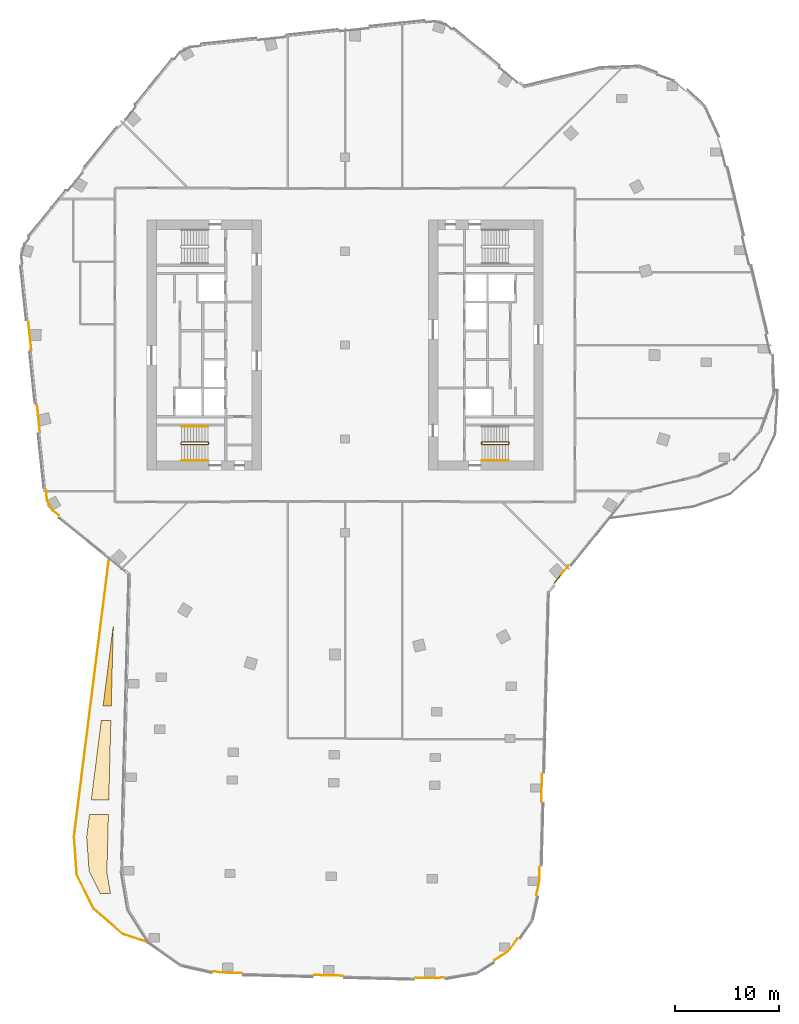
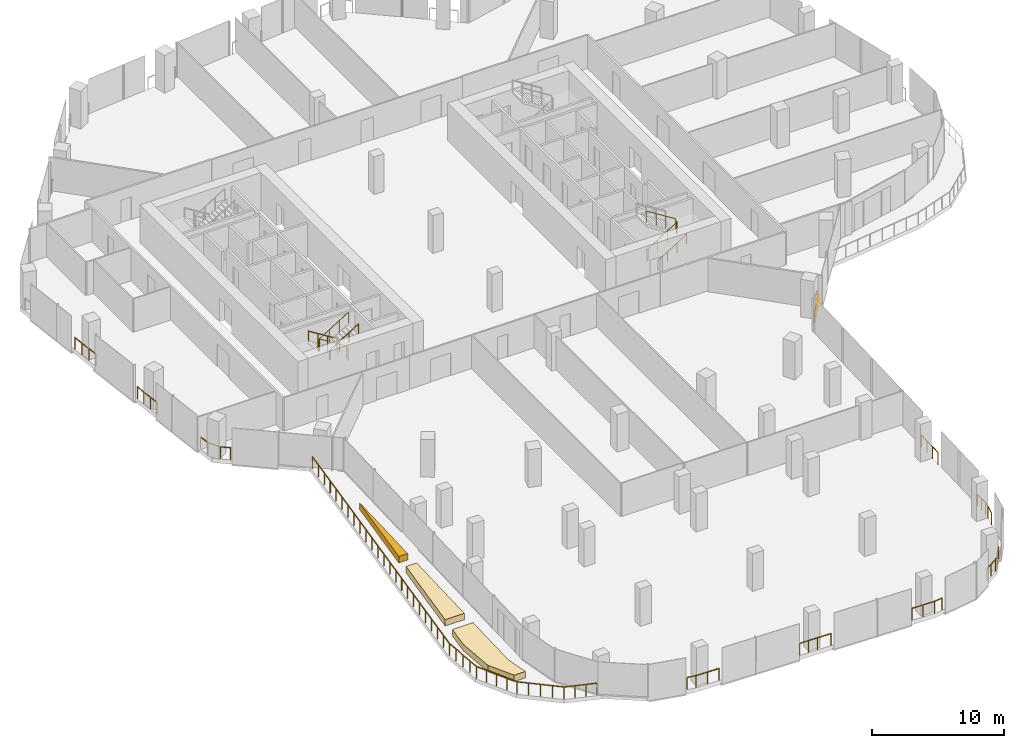
# One storey, part 21 of 24: 18 railings, 3 coverings.
"""IFC4 building model written with IfcOpenShell, lengths in metres."""

import ifcopenshell
import ifcopenshell.guid

model = None  # the IFC model being written
_history = None  # IfcOwnerHistory: only IFC2X3 demands one
_inside = {}  # id of a spatial element -> (the spatial element, [elements in it])
_under = {}  # id of a project, library or spatial element -> (it, [spatial elements below it])
_declared = {}  # id of a project -> (the project, [libraries it declares])
_typed = {}  # id of a type object -> (the type object, [elements of that type])
_made_of = {}  # id of a material, layer set ... -> (it, [elements and type objects made of it])


def new_model(schema):
    """Start an empty IFC model of exactly this schema.

    Asked for "IFC4X3", IfcOpenShell would pick the latest addendum, in which some entities
    have other attributes; the version numbers below select the first issue.
    IFC2X3 requires an IfcOwnerHistory on every rooted entity: one is made here for all.
    """
    global model, _history
    if schema == "IFC4X3":
        model = ifcopenshell.file(schema_version=(4, 3, 0, 0))
    else:
        model = ifcopenshell.file(schema=schema)
    _inside.clear()
    _under.clear()
    _declared.clear()
    _typed.clear()
    _made_of.clear()
    _history = None
    if model.schema == "IFC2X3":
        org = make("IfcOrganization", Name="unknown")
        user = make(
            "IfcPersonAndOrganization",
            ThePerson=make("IfcPerson", FamilyName="unknown"),
            TheOrganization=org,
        )
        app = make(
            "IfcApplication",
            ApplicationDeveloper=org,
            Version="unknown",
            ApplicationFullName="unknown",
            ApplicationIdentifier="unknown",
        )
        _history = make(
            "IfcOwnerHistory",
            OwningUser=user,
            OwningApplication=app,
            ChangeAction="ADDED",
            CreationDate=0,
        )
    return model


def make(cls, **values):
    """One entity of the class cls with the attributes given. An attribute that is None is left unset."""
    return model.create_entity(
        cls, **{name: value for name, value in values.items() if value is not None}
    )


def rooted(cls, **values):
    """An entity with a GlobalId (a new one), such as an element, a storey or a relation."""
    return make(cls, GlobalId=ifcopenshell.guid.new(), OwnerHistory=_history, **values)


def si_unit(unit_type, name, prefix=None):
    """IfcSIUnit, for example si_unit("LENGTHUNIT", "METRE", prefix="MILLI")."""
    return make("IfcSIUnit", UnitType=unit_type, Prefix=prefix, Name=name)


def assignment(units):
    """IfcUnitAssignment: the units of a project."""
    return None if units is None else make("IfcUnitAssignment", Units=units)


def point(xyz):
    """IfcCartesianPoint."""
    return None if xyz is None else make("IfcCartesianPoint", Coordinates=xyz)


def direction(xyz):
    """IfcDirection."""
    return None if xyz is None else make("IfcDirection", DirectionRatios=xyz)


def frame(location, z_axis=None, x_axis=None):
    """IfcAxis2Placement3D, a coordinate frame: its origin and axes. An axis left out is left unset."""
    return make(
        "IfcAxis2Placement3D",
        Location=point(location),
        Axis=direction(z_axis),
        RefDirection=direction(x_axis),
    )


def frame_2d(location, x_axis=None):
    """IfcAxis2Placement2D, a coordinate frame in the plane: its origin and x axis."""
    return make(
        "IfcAxis2Placement2D", Location=point(location), RefDirection=direction(x_axis)
    )


def origin():
    """The frame at (0, 0, 0) with its axes left unset."""
    return frame((0.0, 0.0, 0.0))


def origin_2d():
    """The frame at (0, 0) in the plane with its x axis left unset."""
    return frame_2d((0.0, 0.0))


def place(relative_to, where):
    """IfcLocalPlacement: puts the frame where relative to a parent placement (None: the world)."""
    return make(
        "IfcLocalPlacement", PlacementRelTo=relative_to, RelativePlacement=where
    )


def context(
    kind, dimensions, precision=None, world=None, true_north=None, identifier=None
):
    """IfcGeometricRepresentationContext, for example the 3D "Model" context."""
    return make(
        "IfcGeometricRepresentationContext",
        ContextIdentifier=identifier,
        ContextType=kind,
        CoordinateSpaceDimension=dimensions,
        Precision=precision,
        WorldCoordinateSystem=world,
        TrueNorth=true_north,
    )


def subcontext(parent, identifier, kind, view, scale=None):
    """IfcGeometricRepresentationSubContext, for example "Body" below "Model"."""
    return make(
        "IfcGeometricRepresentationSubContext",
        ContextIdentifier=identifier,
        ContextType=kind,
        ParentContext=parent,
        TargetScale=scale,
        TargetView=view,
    )


def project(units=None, contexts=None):
    """IfcProject with its units and contexts."""
    return rooted(
        "IfcProject",
        Name="project",
        RepresentationContexts=contexts,
        UnitsInContext=assignment(units),
    )


def spatial(cls, under=None, at=None, **own):
    """A site, building, storey or space (cls), placed at a placement, below another one or the project."""
    s = rooted(cls, ObjectPlacement=at, **own)
    if under is not None:
        _under.setdefault(under.id(), (under, []))[1].append(s)
    return s


def polyline(points):
    """IfcPolyline through the points."""
    return make("IfcPolyline", Points=[point(p) for p in points])


def profile(cls, at=None, kind="AREA", **sizes):
    """A parametric profile (cls). Its sizes go by their IFC names, for example OverallWidth=200.0."""
    return make(cls, ProfileType=kind, Position=at, **sizes)


def circle(**sizes):
    """IfcCircleProfileDef."""
    return profile("IfcCircleProfileDef", **sizes)


def outline(outer, holes=None, kind="AREA"):
    """IfcArbitraryClosedProfileDef: a profile drawn as a closed curve; with holes, ...WithVoids."""
    if holes is None:
        return make("IfcArbitraryClosedProfileDef", ProfileType=kind, OuterCurve=outer)
    return make(
        "IfcArbitraryProfileDefWithVoids",
        ProfileType=kind,
        OuterCurve=outer,
        InnerCurves=holes,
    )


def extrude(swept, where, along, depth):
    """IfcExtrudedAreaSolid: the profile swept, set in the frame where, extruded along a direction by depth."""
    return make(
        "IfcExtrudedAreaSolid",
        SweptArea=swept,
        Position=where,
        ExtrudedDirection=direction(along),
        Depth=depth,
    )


def shape(context_of_items, identifier, shape_type, items):
    """IfcShapeRepresentation: the items that make up one representation, for example the "Body"."""
    return make(
        "IfcShapeRepresentation",
        ContextOfItems=context_of_items,
        RepresentationIdentifier=identifier,
        RepresentationType=shape_type,
        Items=items,
    )


def material(Name=None, Category=None):
    """IfcMaterial."""
    return make("IfcMaterial", Name=Name, Category=Category)


def layer(
    of_material, thickness, ventilated=None, Name=None, Category=None, Priority=None
):
    """IfcMaterialLayer: one layer of a wall or slab, of a material (None: an air gap)."""
    return make(
        "IfcMaterialLayer",
        Material=of_material,
        LayerThickness=thickness,
        IsVentilated=ventilated,
        Name=Name,
        Category=Category,
        Priority=Priority,
    )


def layer_set(layers, Name=None):
    """IfcMaterialLayerSet."""
    return make("IfcMaterialLayerSet", MaterialLayers=layers, LayerSetName=Name)


def made_of(thing, what):
    """Note that an element or type object is made of a material, layer set ...; save() writes the relation."""
    if what is not None:
        _made_of.setdefault(what.id(), (what, []))[1].append(thing)
    return thing


def type_object(cls, material=None, **own):
    """A type object (cls), such as IfcWallType, which elements share."""
    return made_of(rooted(cls, **own), material)


def element(
    cls,
    number,
    at=None,
    inside=None,
    cuts=None,
    type_object=None,
    material=None,
    context=None,
    identifier="Body",
    shape_type=None,
    held_by="IfcProductDefinitionShape",
    body=None,
    shapes=None,
    **own,
):
    """One element of the class cls, such as IfcWall. Its Tag is "e" and its number.

    at: its placement. inside: the storey or other place that contains it. cuts: it is an
    opening in that element (IfcRelVoidsElement). A single representation is given by context,
    identifier, shape_type and body (its items); several are given by shapes. held_by: the class
    of the entity that holds the representations. save() writes the other relations.
    """
    e = rooted(cls, Tag="e%d" % number, ObjectPlacement=at, **own)
    if body is not None:
        shapes = [shape(context, identifier, shape_type, body)]
    if shapes is not None:
        e.Representation = make(held_by, Representations=shapes)
    if inside is not None:
        _inside.setdefault(inside.id(), (inside, []))[1].append(e)
    if cuts is not None:
        rooted(
            "IfcRelVoidsElement", RelatingBuildingElement=cuts, RelatedOpeningElement=e
        )
    if type_object is not None:
        _typed.setdefault(type_object.id(), (type_object, []))[1].append(e)
    return made_of(e, material)


def aggregate(whole, parts):
    """IfcRelAggregates: a whole, such as a stair, and the parts it consists of."""
    return rooted("IfcRelAggregates", RelatingObject=whole, RelatedObjects=parts)


def save(model, path):
    """Write the relations noted so far, then the file.

    IfcRelAggregates (storeys below a building ...), IfcRelContainedInSpatialStructure (elements
    in a storey), IfcRelDefinesByType, IfcRelAssociatesMaterial and IfcRelDeclares: one each for
    every whole, place, type object, material and project.
    """
    for whole, parts in _under.values():
        aggregate(whole, parts)
    for where, things in _inside.values():
        rooted(
            "IfcRelContainedInSpatialStructure",
            RelatedElements=things,
            RelatingStructure=where,
        )
    for kind, things in _typed.values():
        rooted("IfcRelDefinesByType", RelatedObjects=things, RelatingType=kind)
    for what, things in _made_of.values():
        rooted("IfcRelAssociatesMaterial", RelatedObjects=things, RelatingMaterial=what)
    for by, libraries in _declared.values():
        rooted("IfcRelDeclares", RelatingContext=by, RelatedDefinitions=libraries)
    model.write(path)


model = new_model("IFC4")

# Units and contexts
model_context = context("Model", 3, precision=1e-05, world=origin(), true_north=direction((0.0, 1.0)))
body_context = subcontext(model_context, "Body", "Model", "MODEL_VIEW")
ifc_project = project(units=[si_unit("LENGTHUNIT", "METRE"), si_unit("AREAUNIT", "SQUARE_METRE"), si_unit("VOLUMEUNIT", "CUBIC_METRE"), si_unit("PLANEANGLEUNIT", "RADIAN"), si_unit("MASSUNIT", "GRAM", prefix="KILO")], contexts=[model_context])

# Site, building, storey
site_placement = place(None, origin())
site = spatial("IfcSite", under=ifc_project, at=site_placement, CompositionType="ELEMENT")
building_placement = place(site_placement, origin())
building = spatial("IfcBuilding", under=site, at=building_placement, Name="Orlundy Tower", CompositionType="ELEMENT")
storey_placement = place(building_placement, frame((0.0, 0.0, 210.5)))
storey = spatial("IfcBuildingStorey", under=building, at=storey_placement, Name="L55", CompositionType="ELEMENT", Elevation=210.5)

# Coverings
ifc_material_1 = material(Name="Planted soil in precast concrete trough", Category="concrete")
ifc_layer = layer(ifc_material_1, 0.60009765625)
ifc_layer_set = layer_set([ifc_layer], Name="PLANTER box")
covering_type = type_object("IfcCoveringType", Name="PLANTER box", PredefinedType="USERDEFINED", material=ifc_layer_set)
covering_1_placement = place(storey_placement, origin())
element("IfcCovering", 1, at=covering_1_placement, inside=storey, type_object=covering_type, Name="PLANTER L55-10", ObjectType="PLANTER", PredefinedType="USERDEFINED", context=body_context, shape_type="SweptSolid", body=[
    extrude(outline(polyline([(-24.77587890625, -47.14892578125), (-24.506103515625, -45.0), (-22.68505859375, -45.0), (-22.8310546875, -50.56689453125), (-22.48193359375, -52.60009765625), (-23.468994140625, -52.60009765625), (-24.5400390625, -50.4609375), (-24.77587890625, -47.14892578125)])), origin(), (0.0, 0.0, 1.0), 0.60009765625),
])
covering_2_placement = place(storey_placement, origin())
element("IfcCovering", 2, at=covering_2_placement, inside=storey, type_object=covering_type, Name="PLANTER L55-11", ObjectType="PLANTER", PredefinedType="USERDEFINED", context=body_context, shape_type="SweptSolid", body=[
    extrude(outline(polyline([(-23.375, -36.0), (-22.449951171875, -36.0), (-22.64892578125, -43.60009765625), (-24.330078125, -43.60009765625), (-23.375, -36.0)])), origin(), (0.0, 0.0, 1.0), 0.60009765625),
])
covering_3_placement = place(storey_placement, origin())
element("IfcCovering", 3, at=covering_3_placement, inside=storey, type_object=covering_type, Name="PLANTER L55-12", ObjectType="PLANTER", PredefinedType="USERDEFINED", context=body_context, shape_type="SweptSolid", body=[
    extrude(outline(polyline([(-22.242919921875, -27.0), (-22.215087890625, -27.0), (-22.4130859375, -34.60009765625), (-23.198974609375, -34.60009765625), (-22.242919921875, -27.0)])), origin(), (0.0, 0.0, 1.0), 0.60009765625),
])

# Railings
ifc_material_2 = material(Name="Steel balustrade", Category="steel")
railing_type_1 = type_object("IfcRailingType", Name="Stair Guard 1100", PredefinedType="GUARDRAIL", material=ifc_material_2)
railing_1_placement = place(storey_placement, frame((-13.090087890625, -9.35009765625, 0.0)))
element("IfcRailing", 4, at=railing_1_placement, inside=storey, type_object=railing_type_1, Name="L55 ST-W2 stair guard 1", PredefinedType="GUARDRAIL", context=body_context, shape_type="SweptSolid", body=[
    extrude(circle(Radius=0.02392578125, at=origin_2d()), frame((0.0, 0.0, 1.076171875), z_axis=(0.0, -1.0, 0.0), x_axis=(1.0, 0.0, 0.0)), (0.0, 0.0, 1.0), 0.14990234375),
    extrude(circle(Radius=0.02392578125, at=origin_2d()), frame((0.0, -0.14990234375, 1.076171875), z_axis=(-0.18420542264, 0.739530593833, 0.647427882513), x_axis=(-0.970351222016, -0.241699205484, 0.0)), (0.0, 0.0, 1.0), 0.270263671875),
    extrude(circle(Radius=0.02392578125, at=origin_2d()), frame((-0.0498046875, 0.050048828125, 1.2509765625), z_axis=(-0.848007534815, 0.0, 0.529984170421), x_axis=(0.0, -1.0, 0.0)), (0.0, 0.0, 1.0), 2.9716796875),
    extrude(circle(Radius=0.02392578125, at=origin_2d()), frame((-2.56982421875, 0.050048828125, 2.826171875), z_axis=(-0.707106781187, -0.707106781187, 0.0), x_axis=(0.707106781187, -0.707106781187, 0.0)), (0.0, 0.0, 1.0), 0.07080078125),
    extrude(circle(Radius=0.02392578125, at=origin_2d()), frame((-2.619873046875, 0.0, 2.826171875), z_axis=(0.0, -1.0, 0.0), x_axis=(1.0, 0.0, 0.0)), (0.0, 0.0, 1.0), 0.14990234375),
    extrude(circle(Radius=0.02392578125, at=origin_2d()), frame((-2.619873046875, -0.14990234375, 2.826171875), z_axis=(0.265065253269, -0.265065253269, 0.927081885822), x_axis=(0.707106781187, 0.707106781187, 0.0)), (0.0, 0.0, 1.0), 0.188720703125),
    extrude(circle(Radius=0.02392578125, at=origin_2d()), frame((-2.56982421875, -0.199951171875, 3.0009765625), z_axis=(0.848007534815, 0.0, 0.529984170421), x_axis=(0.0, 1.0, 0.0)), (0.0, 0.0, 1.0), 2.9716796875),
    extrude(circle(Radius=0.02099609375, at=origin_2d()), origin(), (0.0, 0.0, 1.0), 1.052001953125),
    extrude(circle(Radius=0.02099609375, at=origin_2d()), frame((0.0, -0.14990234375, 0.0)), (0.0, 0.0, 1.0), 1.052001953125),
    extrude(circle(Radius=0.02099609375, at=origin_2d()), frame((-0.0498046875, 0.050048828125, 0.175048828125)), (0.0, 0.0, 1.0), 1.052001953125),
    extrude(circle(Radius=0.02099609375, at=origin_2d()), frame((-0.889892578125, 0.050048828125, 0.699951171875)), (0.0, 0.0, 1.0), 1.052001953125),
    extrude(circle(Radius=0.02099609375, at=origin_2d()), frame((-1.729736328125, 0.050048828125, 1.22509765625)), (0.0, 0.0, 1.0), 1.052001953125),
    extrude(circle(Radius=0.02099609375, at=origin_2d()), frame((-2.56982421875, 0.050048828125, 1.75)), (0.0, 0.0, 1.0), 1.052001953125),
    extrude(circle(Radius=0.02099609375, at=origin_2d()), frame((-2.619873046875, 0.0, 1.75)), (0.0, 0.0, 1.0), 1.052001953125),
    extrude(circle(Radius=0.02099609375, at=origin_2d()), frame((-2.619873046875, -0.14990234375, 1.75)), (0.0, 0.0, 1.0), 1.052001953125),
    extrude(circle(Radius=0.02099609375, at=origin_2d()), frame((-2.56982421875, -0.199951171875, 1.925048828125)), (0.0, 0.0, 1.0), 1.052001953125),
    extrude(circle(Radius=0.02099609375, at=origin_2d()), frame((-1.729736328125, -0.199951171875, 2.449951171875)), (0.0, 0.0, 1.0), 1.052001953125),
    extrude(circle(Radius=0.02099609375, at=origin_2d()), frame((-0.889892578125, -0.199951171875, 2.97509765625)), (0.0, 0.0, 1.0), 1.052001953125),
    extrude(circle(Radius=0.02099609375, at=origin_2d()), frame((-0.0498046875, -0.199951171875, 3.5)), (0.0, 0.0, 1.0), 1.052001953125),
])
railing_2_placement = place(storey_placement, frame((13.090087890625, -9.5, 0.0)))
element("IfcRailing", 5, at=railing_2_placement, inside=storey, type_object=railing_type_1, Name="L55 ST-E1 stair guard 1", PredefinedType="GUARDRAIL", context=body_context, shape_type="SweptSolid", body=[
    extrude(circle(Radius=0.02392578125, at=origin_2d()), frame((0.0, 0.0, 1.076171875), z_axis=(0.0, 1.0, 0.0), x_axis=(-1.0, 0.0, 0.0)), (0.0, 0.0, 1.0), 0.14990234375),
    extrude(circle(Radius=0.02392578125, at=origin_2d()), frame((0.0, 0.14990234375, 1.076171875), z_axis=(0.18420542264, -0.739530593833, 0.647427882513), x_axis=(0.970351222016, 0.241699205484, 0.0)), (0.0, 0.0, 1.0), 0.270263671875),
    extrude(circle(Radius=0.02392578125, at=origin_2d()), frame((0.0498046875, -0.050048828125, 1.2509765625), z_axis=(0.848007534815, 0.0, 0.529984170421), x_axis=(0.0, 1.0, 0.0)), (0.0, 0.0, 1.0), 2.9716796875),
    extrude(circle(Radius=0.02392578125, at=origin_2d()), frame((2.56982421875, -0.050048828125, 2.826171875), z_axis=(0.707106781187, 0.707106781187, 0.0), x_axis=(-0.707106781187, 0.707106781187, 0.0)), (0.0, 0.0, 1.0), 0.07080078125),
    extrude(circle(Radius=0.02392578125, at=origin_2d()), frame((2.619873046875, 0.0, 2.826171875), z_axis=(0.0, 1.0, 0.0), x_axis=(-1.0, 0.0, 0.0)), (0.0, 0.0, 1.0), 0.14990234375),
    extrude(circle(Radius=0.02392578125, at=origin_2d()), frame((2.619873046875, 0.14990234375, 2.826171875), z_axis=(-0.265065253269, 0.265065253269, 0.927081885822), x_axis=(-0.707106781187, -0.707106781187, 0.0)), (0.0, 0.0, 1.0), 0.188720703125),
    extrude(circle(Radius=0.02392578125, at=origin_2d()), frame((2.56982421875, 0.199951171875, 3.0009765625), z_axis=(-0.848007534815, 0.0, 0.529984170421), x_axis=(0.0, -1.0, 0.0)), (0.0, 0.0, 1.0), 2.9716796875),
    extrude(circle(Radius=0.02099609375, at=origin_2d()), origin(), (0.0, 0.0, 1.0), 1.052001953125),
    extrude(circle(Radius=0.02099609375, at=origin_2d()), frame((0.0, 0.14990234375, 0.0)), (0.0, 0.0, 1.0), 1.052001953125),
    extrude(circle(Radius=0.02099609375, at=origin_2d()), frame((0.0498046875, -0.050048828125, 0.175048828125)), (0.0, 0.0, 1.0), 1.052001953125),
    extrude(circle(Radius=0.02099609375, at=origin_2d()), frame((0.889892578125, -0.050048828125, 0.699951171875)), (0.0, 0.0, 1.0), 1.052001953125),
    extrude(circle(Radius=0.02099609375, at=origin_2d()), frame((1.729736328125, -0.050048828125, 1.22509765625)), (0.0, 0.0, 1.0), 1.052001953125),
    extrude(circle(Radius=0.02099609375, at=origin_2d()), frame((2.56982421875, -0.050048828125, 1.75)), (0.0, 0.0, 1.0), 1.052001953125),
    extrude(circle(Radius=0.02099609375, at=origin_2d()), frame((2.619873046875, 0.0, 1.75)), (0.0, 0.0, 1.0), 1.052001953125),
    extrude(circle(Radius=0.02099609375, at=origin_2d()), frame((2.619873046875, 0.14990234375, 1.75)), (0.0, 0.0, 1.0), 1.052001953125),
    extrude(circle(Radius=0.02099609375, at=origin_2d()), frame((2.56982421875, 0.199951171875, 1.925048828125)), (0.0, 0.0, 1.0), 1.052001953125),
    extrude(circle(Radius=0.02099609375, at=origin_2d()), frame((1.729736328125, 0.199951171875, 2.449951171875)), (0.0, 0.0, 1.0), 1.052001953125),
    extrude(circle(Radius=0.02099609375, at=origin_2d()), frame((0.889892578125, 0.199951171875, 2.97509765625)), (0.0, 0.0, 1.0), 1.052001953125),
    extrude(circle(Radius=0.02099609375, at=origin_2d()), frame((0.0498046875, 0.199951171875, 3.5)), (0.0, 0.0, 1.0), 1.052001953125),
])
ifc_material_3 = material(Name="Steel handrail", Category="steel")
railing_type_2 = type_object("IfcRailingType", Name="Stair Handrail 900", PredefinedType="HANDRAIL", material=ifc_material_3)
railing_3_placement = place(storey_placement, frame((-13.139892578125, -7.800048828125, 0.175048828125)))
element("IfcRailing", 6, at=railing_3_placement, inside=storey, type_object=railing_type_2, Name="L55 ST-W2 stair handrail 1", PredefinedType="HANDRAIL", context=body_context, shape_type="SweptSolid", body=[
    extrude(circle(Radius=0.02392578125, at=origin_2d()), frame((0.0, 0.0, 0.8759765625), z_axis=(-0.848007534815, 0.0, 0.529984170421), x_axis=(0.0, -1.0, 0.0)), (0.0, 0.0, 1.0), 2.9716796875),
    extrude(circle(Radius=0.02099609375, at=origin_2d()), origin(), (0.0, 0.0, 1.0), 0.851806640625),
    extrude(circle(Radius=0.02099609375, at=origin_2d()), frame((-0.840087890625, 0.0, 0.52490234375)), (0.0, 0.0, 1.0), 0.851806640625),
    extrude(circle(Radius=0.02099609375, at=origin_2d()), frame((-1.679931640625, 0.0, 1.050048828125)), (0.0, 0.0, 1.0), 0.851806640625),
    extrude(circle(Radius=0.02099609375, at=origin_2d()), frame((-2.52001953125, 0.0, 1.574951171875)), (0.0, 0.0, 1.0), 0.851806640625),
])
for number, where, name in (
    (7, (-15.659912109375, -11.050048828125, 1.925048828125), "L55 ST-W2 stair handrail 2"),
    (8, (13.139892578125, -11.050048828125, 0.175048828125), "L55 ST-E1 stair handrail 1"),
):
    element("IfcRailing", number, at=place(storey_placement, frame(where)), inside=storey, type_object=railing_type_2, Name=name, PredefinedType="HANDRAIL", context=body_context, shape_type="SweptSolid", body=[
        extrude(circle(Radius=0.02392578125, at=origin_2d()), frame((0.0, 0.0, 0.8759765625), z_axis=(0.848007534815, 0.0, 0.529984170421), x_axis=(0.0, 1.0, 0.0)), (0.0, 0.0, 1.0), 2.9716796875),
        extrude(circle(Radius=0.02099609375, at=origin_2d()), origin(), (0.0, 0.0, 1.0), 0.851806640625),
        extrude(circle(Radius=0.02099609375, at=origin_2d()), frame((0.840087890625, 0.0, 0.52490234375)), (0.0, 0.0, 1.0), 0.851806640625),
        extrude(circle(Radius=0.02099609375, at=origin_2d()), frame((1.679931640625, 0.0, 1.050048828125)), (0.0, 0.0, 1.0), 0.851806640625),
        extrude(circle(Radius=0.02099609375, at=origin_2d()), frame((2.52001953125, 0.0, 1.574951171875)), (0.0, 0.0, 1.0), 0.851806640625),
    ])
ifc_material_4 = material(Name="Stainless steel bronze finish", Category="steel")
railing_type_3 = type_object("IfcRailingType", Name="TG1 terrace guard", PredefinedType="GUARDRAIL", material=ifc_material_4)
railing_4_placement = place(storey_placement, frame((-1.382568359375, -60.4443359375, 0.0)))
element("IfcRailing", 9, at=railing_4_placement, inside=storey, type_object=railing_type_3, Name="Guard TG-L55-E00", PredefinedType="GUARDRAIL", context=body_context, shape_type="SweptSolid", body=[
    extrude(circle(Radius=0.02490234375, at=origin_2d()), frame((0.0, 0.0, 1.09521484375), z_axis=(-0.999656988182, 0.026189806772, 0.0), x_axis=(-0.026189806772, -0.999656988182, 0.0)), (0.0, 0.0, 1.0), 1.5380859375),
    extrude(circle(Radius=0.02001953125, at=origin_2d()), origin(), (0.0, 0.0, 1.0), 1.070068359375),
    extrude(circle(Radius=0.02001953125, at=origin_2d()), frame((-0.768798828125, 0.02001953125, 0.0)), (0.0, 0.0, 1.0), 1.070068359375),
    extrude(circle(Radius=0.02001953125, at=origin_2d()), frame((-1.53759765625, 0.040283203125, 0.0)), (0.0, 0.0, 1.0), 1.070068359375),
])
railing_5_placement = place(storey_placement, frame((16.537109375, -56.8955078125, 0.0)))
element("IfcRailing", 10, at=railing_5_placement, inside=storey, type_object=railing_type_3, Name="Guard TG-L55-E01", PredefinedType="GUARDRAIL", context=body_context, shape_type="SweptSolid", body=[
    extrude(circle(Radius=0.02490234375, at=origin_2d()), frame((0.0, 0.0, 1.09521484375), z_axis=(-0.57706009411, -0.81670168837, 0.0), x_axis=(0.81670168837, -0.57706009411, 0.0)), (0.0, 0.0, 1.0), 1.245849609375),
    extrude(circle(Radius=0.02490234375, at=origin_2d()), frame((-0.718994140625, -1.017578125, 1.09521484375), z_axis=(-0.706826238954, -0.707387212159, 0.0), x_axis=(0.707387212159, -0.706826238954, 0.0)), (0.0, 0.0, 1.0), 0.435302734375),
    extrude(circle(Radius=0.02490234375, at=origin_2d()), frame((-1.026611328125, -1.325439453125, 1.09521484375), z_axis=(-0.845730893284, -0.533609647725, 0.0), x_axis=(0.533609647725, -0.845730893284, 0.0)), (0.0, 0.0, 1.0), 1.389892578125),
    extrude(circle(Radius=0.02001953125, at=origin_2d()), origin(), (0.0, 0.0, 1.0), 1.070068359375),
    extrude(circle(Radius=0.02001953125, at=origin_2d()), frame((-0.359375, -0.5087890625, 0.0)), (0.0, 0.0, 1.0), 1.070068359375),
    extrude(circle(Radius=0.02001953125, at=origin_2d()), frame((-0.718994140625, -1.017578125, 0.0)), (0.0, 0.0, 1.0), 1.070068359375),
    extrude(circle(Radius=0.02001953125, at=origin_2d()), frame((-1.026611328125, -1.325439453125, 0.0)), (0.0, 0.0, 1.0), 1.070068359375),
    extrude(circle(Radius=0.02001953125, at=origin_2d()), frame((-1.6142578125, -1.6962890625, 0.0)), (0.0, 0.0, 1.0), 1.070068359375),
    extrude(circle(Radius=0.02001953125, at=origin_2d()), frame((-2.2021484375, -2.067138671875, 0.0)), (0.0, 0.0, 1.0), 1.070068359375),
])
railing_6_placement = place(storey_placement, frame((-27.42236328125, -16.34521484375, 0.0)))
element("IfcRailing", 11, at=railing_6_placement, inside=storey, type_object=railing_type_3, Name="Guard TG-L55-E04", PredefinedType="GUARDRAIL", context=body_context, shape_type="SweptSolid", body=[
    extrude(circle(Radius=0.02490234375, at=origin_2d()), frame((0.0, 0.0, 1.09521484375), z_axis=(-0.776998430479, 0.629502532983, 0.0), x_axis=(-0.629502532983, -0.776998430479, 0.0)), (0.0, 0.0, 1.0), 0.78466796875),
    extrude(circle(Radius=0.02490234375, at=origin_2d()), frame((-0.609619140625, 0.493896484375, 1.09521484375), z_axis=(-0.477310281259, 0.878734826557, 0.0), x_axis=(-0.878734826557, -0.477310281259, 0.0)), (0.0, 0.0, 1.0), 1.10986328125),
    extrude(circle(Radius=0.02490234375, at=origin_2d()), frame((-1.139404296875, 1.46923828125, 1.09521484375), z_axis=(-0.104490984784, 0.994525833802, 0.0), x_axis=(-0.994525833802, -0.104490984784, 0.0)), (0.0, 0.0, 1.0), 0.983642578125),
    extrude(circle(Radius=0.02001953125, at=origin_2d()), origin(), (0.0, 0.0, 1.0), 1.070068359375),
    extrude(circle(Radius=0.02001953125, at=origin_2d()), frame((-0.609619140625, 0.493896484375, 0.0)), (0.0, 0.0, 1.0), 1.070068359375),
    extrude(circle(Radius=0.02001953125, at=origin_2d()), frame((-1.139404296875, 1.46923828125, 0.0)), (0.0, 0.0, 1.0), 1.070068359375),
    extrude(circle(Radius=0.02001953125, at=origin_2d()), frame((-1.2421875, 2.447509765625, 0.0)), (0.0, 0.0, 1.0), 1.070068359375),
])
railing_7_placement = place(storey_placement, frame((-30.076904296875, -0.461181640625, 0.0)))
element("IfcRailing", 12, at=railing_7_placement, inside=storey, type_object=railing_type_3, Name="Guard TG-L55-E06", PredefinedType="GUARDRAIL", context=body_context, shape_type="SweptSolid", body=[
    extrude(circle(Radius=0.02490234375, at=origin_2d()), frame((0.0, 0.0, 1.09521484375), z_axis=(-0.10456299532, 0.994518265297, 0.0), x_axis=(-0.994518265297, -0.10456299532, 0.0)), (0.0, 0.0, 1.0), 2.713134765625),
    extrude(circle(Radius=0.02001953125, at=origin_2d()), origin(), (0.0, 0.0, 1.0), 1.070068359375),
    extrude(circle(Radius=0.02001953125, at=origin_2d()), frame((-0.094482421875, 0.8994140625, 0.0)), (0.0, 0.0, 1.0), 1.070068359375),
    extrude(circle(Radius=0.02001953125, at=origin_2d()), frame((-0.189208984375, 1.798828125, 0.0)), (0.0, 0.0, 1.0), 1.070068359375),
    extrude(circle(Radius=0.02001953125, at=origin_2d()), frame((-0.28369140625, 2.6982421875, 0.0)), (0.0, 0.0, 1.0), 1.070068359375),
])
railing_8_placement = place(storey_placement, frame((-9.8984375, -60.22119140625, 0.0)))
element("IfcRailing", 13, at=railing_8_placement, inside=storey, type_object=railing_type_3, Name="Guard TG-L55-E08", PredefinedType="GUARDRAIL", context=body_context, shape_type="SweptSolid", body=[
    extrude(circle(Radius=0.02490234375, at=origin_2d()), frame((0.0, 0.0, 1.09521484375), z_axis=(-0.999655452717, 0.026248349535, 0.0), x_axis=(-0.026248349535, -0.999655452717, 0.0)), (0.0, 0.0, 1.0), 1.981201171875),
    extrude(circle(Radius=0.02490234375, at=origin_2d()), frame((-1.98046875, 0.052001953125, 1.09521484375), z_axis=(-0.985769518817, 0.168102515661, 0.0), x_axis=(-0.168102515661, -0.985769518817, 0.0)), (0.0, 0.0, 1.0), 0.716064453125),
    extrude(circle(Radius=0.02001953125, at=origin_2d()), origin(), (0.0, 0.0, 1.0), 1.070068359375),
    extrude(circle(Radius=0.02001953125, at=origin_2d()), frame((-0.990234375, 0.02587890625, 0.0)), (0.0, 0.0, 1.0), 1.070068359375),
    extrude(circle(Radius=0.02001953125, at=origin_2d()), frame((-1.98046875, 0.052001953125, 0.0)), (0.0, 0.0, 1.0), 1.070068359375),
    extrude(circle(Radius=0.02001953125, at=origin_2d()), frame((-2.686279296875, 0.17236328125, 0.0)), (0.0, 0.0, 1.0), 1.070068359375),
])
railing_9_placement = place(storey_placement, frame((9.45263671875, -60.62060546875, 0.0)))
element("IfcRailing", 14, at=railing_9_placement, inside=storey, type_object=railing_type_3, Name="Guard TG-L55-E010", PredefinedType="GUARDRAIL", context=body_context, shape_type="SweptSolid", body=[
    extrude(circle(Radius=0.02490234375, at=origin_2d()), frame((0.0, 0.0, 1.09521484375), z_axis=(-0.992954289082, -0.118498015986, 0.0), x_axis=(0.118498015986, -0.992954289082, 0.0)), (0.0, 0.0, 1.0), 0.74365234375),
    extrude(circle(Radius=0.02490234375, at=origin_2d()), frame((-0.738525390625, -0.088134765625, 1.09521484375), z_axis=(-0.999659394285, 0.026097804845, 0.0), x_axis=(-0.026097804845, -0.999659394285, 0.0)), (0.0, 0.0, 1.0), 1.9365234375),
    extrude(circle(Radius=0.02001953125, at=origin_2d()), origin(), (0.0, 0.0, 1.0), 1.070068359375),
    extrude(circle(Radius=0.02001953125, at=origin_2d()), frame((-0.738525390625, -0.088134765625, 0.0)), (0.0, 0.0, 1.0), 1.070068359375),
    extrude(circle(Radius=0.02001953125, at=origin_2d()), frame((-1.70654296875, -0.06298828125, 0.0)), (0.0, 0.0, 1.0), 1.070068359375),
    extrude(circle(Radius=0.02001953125, at=origin_2d()), frame((-2.67431640625, -0.03759765625, 0.0)), (0.0, 0.0, 1.0), 1.070068359375),
])
railing_10_placement = place(storey_placement, frame((18.655517578125, -50.07666015625, 0.0)))
element("IfcRailing", 15, at=railing_10_placement, inside=storey, type_object=railing_type_3, Name="Guard TG-L55-E011", PredefinedType="GUARDRAIL", context=body_context, shape_type="SweptSolid", body=[
    extrude(circle(Radius=0.02490234375, at=origin_2d()), frame((0.0, 0.0, 1.09521484375), z_axis=(-0.026228302368, -0.999655978902, 0.0), x_axis=(0.999655978902, -0.026228302368, 0.0)), (0.0, 0.0, 1.0), 1.228759765625),
    extrude(circle(Radius=0.02490234375, at=origin_2d()), frame((-0.0322265625, -1.228271484375, 1.09521484375), z_axis=(-0.15334472728, -0.988172755451, 0.0), x_axis=(0.988172755451, -0.15334472728, 0.0)), (0.0, 0.0, 1.0), 0.5556640625),
    extrude(circle(Radius=0.02490234375, at=origin_2d()), frame((-0.117431640625, -1.77734375, 1.09521484375), z_axis=(-0.22046235556, -0.975395483781, 0.0), x_axis=(0.975395483781, -0.22046235556, 0.0)), (0.0, 0.0, 1.0), 0.892578125),
    extrude(circle(Radius=0.02001953125, at=origin_2d()), origin(), (0.0, 0.0, 1.0), 1.070068359375),
    extrude(circle(Radius=0.02001953125, at=origin_2d()), frame((-0.01611328125, -0.6142578125, 0.0)), (0.0, 0.0, 1.0), 1.070068359375),
    extrude(circle(Radius=0.02001953125, at=origin_2d()), frame((-0.0322265625, -1.228271484375, 0.0)), (0.0, 0.0, 1.0), 1.070068359375),
    extrude(circle(Radius=0.02001953125, at=origin_2d()), frame((-0.117431640625, -1.77734375, 0.0)), (0.0, 0.0, 1.0), 1.070068359375),
    extrude(circle(Radius=0.02001953125, at=origin_2d()), frame((-0.314208984375, -2.64794921875, 0.0)), (0.0, 0.0, 1.0), 1.070068359375),
])
railing_11_placement = place(storey_placement, frame((18.889404296875, -41.133056640625, 0.0)))
element("IfcRailing", 16, at=railing_11_placement, inside=storey, type_object=railing_type_3, Name="Guard TG-L55-E012", PredefinedType="GUARDRAIL", context=body_context, shape_type="SweptSolid", body=[
    extrude(circle(Radius=0.02490234375, at=origin_2d()), frame((0.0, 0.0, 1.09521484375), z_axis=(-0.026129433339, -0.999658568069, 0.0), x_axis=(0.999658568069, -0.026129433339, 0.0)), (0.0, 0.0, 1.0), 2.644287109375),
    extrude(circle(Radius=0.02001953125, at=origin_2d()), origin(), (0.0, 0.0, 1.0), 1.070068359375),
    extrude(circle(Radius=0.02001953125, at=origin_2d()), frame((-0.02294921875, -0.881103515625, 0.0)), (0.0, 0.0, 1.0), 1.070068359375),
    extrude(circle(Radius=0.02001953125, at=origin_2d()), frame((-0.046142578125, -1.76220703125, 0.0)), (0.0, 0.0, 1.0), 1.070068359375),
    extrude(circle(Radius=0.02001953125, at=origin_2d()), frame((-0.069091796875, -2.643310546875, 0.0)), (0.0, 0.0, 1.0), 1.070068359375),
])
railing_12_placement = place(storey_placement, frame((-29.248779296875, -8.34033203125, 0.0)))
element("IfcRailing", 17, at=railing_12_placement, inside=storey, type_object=railing_type_3, Name="Guard TG-L55-E015", PredefinedType="GUARDRAIL", context=body_context, shape_type="SweptSolid", body=[
    extrude(circle(Radius=0.02490234375, at=origin_2d()), frame((0.0, 0.0, 1.09521484375), z_axis=(-0.104465670881, 0.99452849311, 0.0), x_axis=(-0.99452849311, -0.104465670881, 0.0)), (0.0, 0.0, 1.0), 2.552001953125),
    extrude(circle(Radius=0.02001953125, at=origin_2d()), origin(), (0.0, 0.0, 1.0), 1.070068359375),
    extrude(circle(Radius=0.02001953125, at=origin_2d()), frame((-0.0888671875, 0.845947265625, 0.0)), (0.0, 0.0, 1.0), 1.070068359375),
    extrude(circle(Radius=0.02001953125, at=origin_2d()), frame((-0.177734375, 1.692138671875, 0.0)), (0.0, 0.0, 1.0), 1.070068359375),
    extrude(circle(Radius=0.02001953125, at=origin_2d()), frame((-0.2666015625, 2.5380859375, 0.0)), (0.0, 0.0, 1.0), 1.070068359375),
])
railing_13_placement = place(storey_placement, frame((20.72509765625, -22.0126953125, 0.0)))
element("IfcRailing", 18, at=railing_13_placement, inside=storey, type_object=railing_type_3, Name="Guard TG-L55-E017", PredefinedType="GUARDRAIL", context=body_context, shape_type="SweptSolid", body=[
    extrude(circle(Radius=0.02490234375, at=origin_2d()), frame((0.0, 0.0, 1.09521484375), z_axis=(-0.629252791677, -0.777200697482, 0.0), x_axis=(0.777200697482, -0.629252791677, 0.0)), (0.0, 0.0, 1.0), 1.02978515625),
    extrude(circle(Radius=0.02490234375, at=origin_2d()), frame((-0.64794921875, -0.80029296875, 1.09521484375), z_axis=(0.629295427379, 0.777166175975, 0.0), x_axis=(-0.777166175975, 0.629295427379, 0.0)), (0.0, 0.0, 1.0), 1.517333984375),
    extrude(circle(Radius=0.02001953125, at=origin_2d()), origin(), (0.0, 0.0, 1.0), 1.070068359375),
    extrude(circle(Radius=0.02001953125, at=origin_2d()), frame((-0.64794921875, -0.80029296875, 0.0)), (0.0, 0.0, 1.0), 1.070068359375),
    extrude(circle(Radius=0.02001953125, at=origin_2d()), frame((-0.17041015625, -0.210693359375, 0.0)), (0.0, 0.0, 1.0), 1.070068359375),
    extrude(circle(Radius=0.02001953125, at=origin_2d()), frame((0.306884765625, 0.37890625, 0.0)), (0.0, 0.0, 1.0), 1.070068359375),
])
railing_14_placement = place(storey_placement, frame((20.72509765625, -22.0126953125, 0.0)))
element("IfcRailing", 19, at=railing_14_placement, inside=storey, type_object=railing_type_3, Name="Guard TG-L55-E021", PredefinedType="GUARDRAIL", context=body_context, shape_type="SweptSolid", body=[
    extrude(circle(Radius=0.02490234375, at=origin_2d()), frame((0.0, 0.0, 1.09521484375), z_axis=(0.629395817141, 0.777084876552, 0.0), x_axis=(-0.777084876552, 0.629395817141, 0.0)), (0.0, 0.0, 1.0), 1.13720703125),
    extrude(circle(Radius=0.02001953125, at=origin_2d()), origin(), (0.0, 0.0, 1.0), 1.070068359375),
    extrude(circle(Radius=0.02001953125, at=origin_2d()), frame((0.7158203125, 0.8837890625, 0.0)), (0.0, 0.0, 1.0), 1.070068359375),
])
railing_15_placement = place(storey_placement, frame((-0.205078125, -60.47509765625, 0.0)))
element("IfcRailing", 20, at=railing_15_placement, inside=storey, type_object=railing_type_3, Name="Guard TG-L55-E024", PredefinedType="GUARDRAIL", context=body_context, shape_type="SweptSolid", body=[
    extrude(circle(Radius=0.02490234375, at=origin_2d()), frame((0.0, 0.0, 1.09521484375), z_axis=(-0.999658921508, 0.026115907964, 0.0), x_axis=(-0.026115907964, -0.999658921508, 0.0)), (0.0, 0.0, 1.0), 1.177978515625),
    extrude(circle(Radius=0.02001953125, at=origin_2d()), origin(), (0.0, 0.0, 1.0), 1.070068359375),
    extrude(circle(Radius=0.02001953125, at=origin_2d()), frame((-1.177490234375, 0.03076171875, 0.0)), (0.0, 0.0, 1.0), 1.070068359375),
])
railing_16_placement = place(storey_placement, frame((-18.897216796875, -57.268310546875, 0.0)))
element("IfcRailing", 21, at=railing_16_placement, inside=storey, type_object=railing_type_3, Name="Guard TG-L55-10", PredefinedType="GUARDRAIL", context=body_context, shape_type="SweptSolid", body=[
    extrude(circle(Radius=0.02490234375, at=origin_2d()), frame((0.0, 0.0, 1.09521484375), z_axis=(-0.94876969775, 0.31596844879, 0.0), x_axis=(-0.31596844879, -0.94876969775, 0.0)), (0.0, 0.0, 1.0), 2.5419921875),
    extrude(circle(Radius=0.02490234375, at=origin_2d()), frame((-2.411865234375, 0.80322265625, 1.09521484375), z_axis=(-0.755354950675, 0.65531587688, 0.0), x_axis=(-0.65531587688, -0.755354950675, 0.0)), (0.0, 0.0, 1.0), 3.66552734375),
    extrude(circle(Radius=0.02490234375, at=origin_2d()), frame((-5.1806640625, 3.205322265625, 1.09521484375), z_axis=(-0.447879364164, 0.894093996823, 0.0), x_axis=(-0.894093996823, -0.447879364164, 0.0)), (0.0, 0.0, 1.0), 3.666259765625),
    extrude(circle(Radius=0.02490234375, at=origin_2d()), frame((-6.82275390625, 6.4833984375, 1.09521484375), z_axis=(-0.071237613691, 0.997459373807, 0.0), x_axis=(-0.997459373807, -0.071237613691, 0.0)), (0.0, 0.0, 1.0), 3.67724609375),
    extrude(circle(Radius=0.02490234375, at=origin_2d()), frame((-7.084716796875, 10.1513671875, 1.09521484375), z_axis=(0.124783513683, 0.992183992369, 0.0), x_axis=(-0.992183992369, 0.124783513683, 0.0)), (0.0, 0.0, 1.0), 26.84521484375),
    extrude(circle(Radius=0.02001953125, at=origin_2d()), origin(), (0.0, 0.0, 1.0), 1.070068359375),
    extrude(circle(Radius=0.02001953125, at=origin_2d()), frame((-0.803955078125, 0.267822265625, 0.0)), (0.0, 0.0, 1.0), 1.070068359375),
    extrude(circle(Radius=0.02001953125, at=origin_2d()), frame((-1.60791015625, 0.535400390625, 0.0)), (0.0, 0.0, 1.0), 1.070068359375),
    extrude(circle(Radius=0.02001953125, at=origin_2d()), frame((-2.411865234375, 0.80322265625, 0.0)), (0.0, 0.0, 1.0), 1.070068359375),
    extrude(circle(Radius=0.02001953125, at=origin_2d()), frame((-3.10400390625, 1.40380859375, 0.0)), (0.0, 0.0, 1.0), 1.070068359375),
    extrude(circle(Radius=0.02001953125, at=origin_2d()), frame((-3.79638671875, 2.00439453125, 0.0)), (0.0, 0.0, 1.0), 1.070068359375),
    extrude(circle(Radius=0.02001953125, at=origin_2d()), frame((-4.488525390625, 2.604736328125, 0.0)), (0.0, 0.0, 1.0), 1.070068359375),
    extrude(circle(Radius=0.02001953125, at=origin_2d()), frame((-5.1806640625, 3.205322265625, 0.0)), (0.0, 0.0, 1.0), 1.070068359375),
    extrude(circle(Radius=0.02001953125, at=origin_2d()), frame((-5.59130859375, 4.02490234375, 0.0)), (0.0, 0.0, 1.0), 1.070068359375),
    extrude(circle(Radius=0.02001953125, at=origin_2d()), frame((-6.001708984375, 4.84423828125, 0.0)), (0.0, 0.0, 1.0), 1.070068359375),
    extrude(circle(Radius=0.02001953125, at=origin_2d()), frame((-6.412109375, 5.663818359375, 0.0)), (0.0, 0.0, 1.0), 1.070068359375),
    extrude(circle(Radius=0.02001953125, at=origin_2d()), frame((-6.82275390625, 6.4833984375, 0.0)), (0.0, 0.0, 1.0), 1.070068359375),
    extrude(circle(Radius=0.02001953125, at=origin_2d()), frame((-6.88818359375, 7.400390625, 0.0)), (0.0, 0.0, 1.0), 1.070068359375),
    extrude(circle(Radius=0.02001953125, at=origin_2d()), frame((-6.95361328125, 8.3173828125, 0.0)), (0.0, 0.0, 1.0), 1.070068359375),
    extrude(circle(Radius=0.02001953125, at=origin_2d()), frame((-7.019287109375, 9.234375, 0.0)), (0.0, 0.0, 1.0), 1.070068359375),
    extrude(circle(Radius=0.02001953125, at=origin_2d()), frame((-7.084716796875, 10.1513671875, 0.0)), (0.0, 0.0, 1.0), 1.070068359375),
    extrude(circle(Radius=0.02001953125, at=origin_2d()), frame((-6.93896484375, 11.309326171875, 0.0)), (0.0, 0.0, 1.0), 1.070068359375),
    extrude(circle(Radius=0.02001953125, at=origin_2d()), frame((-6.79345703125, 12.467529296875, 0.0)), (0.0, 0.0, 1.0), 1.070068359375),
    extrude(circle(Radius=0.02001953125, at=origin_2d()), frame((-6.647705078125, 13.62548828125, 0.0)), (0.0, 0.0, 1.0), 1.070068359375),
    extrude(circle(Radius=0.02001953125, at=origin_2d()), frame((-6.502197265625, 14.78369140625, 0.0)), (0.0, 0.0, 1.0), 1.070068359375),
    extrude(circle(Radius=0.02001953125, at=origin_2d()), frame((-6.3564453125, 15.941650390625, 0.0)), (0.0, 0.0, 1.0), 1.070068359375),
    extrude(circle(Radius=0.02001953125, at=origin_2d()), frame((-6.2109375, 17.099853515625, 0.0)), (0.0, 0.0, 1.0), 1.070068359375),
    extrude(circle(Radius=0.02001953125, at=origin_2d()), frame((-6.065185546875, 18.2578125, 0.0)), (0.0, 0.0, 1.0), 1.070068359375),
    extrude(circle(Radius=0.02001953125, at=origin_2d()), frame((-5.91943359375, 19.415771484375, 0.0)), (0.0, 0.0, 1.0), 1.070068359375),
    extrude(circle(Radius=0.02001953125, at=origin_2d()), frame((-5.77392578125, 20.573974609375, 0.0)), (0.0, 0.0, 1.0), 1.070068359375),
    extrude(circle(Radius=0.02001953125, at=origin_2d()), frame((-5.628173828125, 21.73193359375, 0.0)), (0.0, 0.0, 1.0), 1.070068359375),
    extrude(circle(Radius=0.02001953125, at=origin_2d()), frame((-5.482666015625, 22.89013671875, 0.0)), (0.0, 0.0, 1.0), 1.070068359375),
    extrude(circle(Radius=0.02001953125, at=origin_2d()), frame((-5.3369140625, 24.048095703125, 0.0)), (0.0, 0.0, 1.0), 1.070068359375),
    extrude(circle(Radius=0.02001953125, at=origin_2d()), frame((-5.19140625, 25.206298828125, 0.0)), (0.0, 0.0, 1.0), 1.070068359375),
    extrude(circle(Radius=0.02001953125, at=origin_2d()), frame((-5.045654296875, 26.3642578125, 0.0)), (0.0, 0.0, 1.0), 1.070068359375),
    extrude(circle(Radius=0.02001953125, at=origin_2d()), frame((-4.900146484375, 27.5224609375, 0.0)), (0.0, 0.0, 1.0), 1.070068359375),
    extrude(circle(Radius=0.02001953125, at=origin_2d()), frame((-4.75439453125, 28.680419921875, 0.0)), (0.0, 0.0, 1.0), 1.070068359375),
    extrude(circle(Radius=0.02001953125, at=origin_2d()), frame((-4.608642578125, 29.83837890625, 0.0)), (0.0, 0.0, 1.0), 1.070068359375),
    extrude(circle(Radius=0.02001953125, at=origin_2d()), frame((-4.463134765625, 30.99658203125, 0.0)), (0.0, 0.0, 1.0), 1.070068359375),
    extrude(circle(Radius=0.02001953125, at=origin_2d()), frame((-4.3173828125, 32.154541015625, 0.0)), (0.0, 0.0, 1.0), 1.070068359375),
    extrude(circle(Radius=0.02001953125, at=origin_2d()), frame((-4.171875, 33.312744140625, 0.0)), (0.0, 0.0, 1.0), 1.070068359375),
    extrude(circle(Radius=0.02001953125, at=origin_2d()), frame((-4.026123046875, 34.470703125, 0.0)), (0.0, 0.0, 1.0), 1.070068359375),
    extrude(circle(Radius=0.02001953125, at=origin_2d()), frame((-3.880615234375, 35.62890625, 0.0)), (0.0, 0.0, 1.0), 1.070068359375),
    extrude(circle(Radius=0.02001953125, at=origin_2d()), frame((-3.73486328125, 36.786865234375, 0.0)), (0.0, 0.0, 1.0), 1.070068359375),
])

save(model, "model.ifc")
